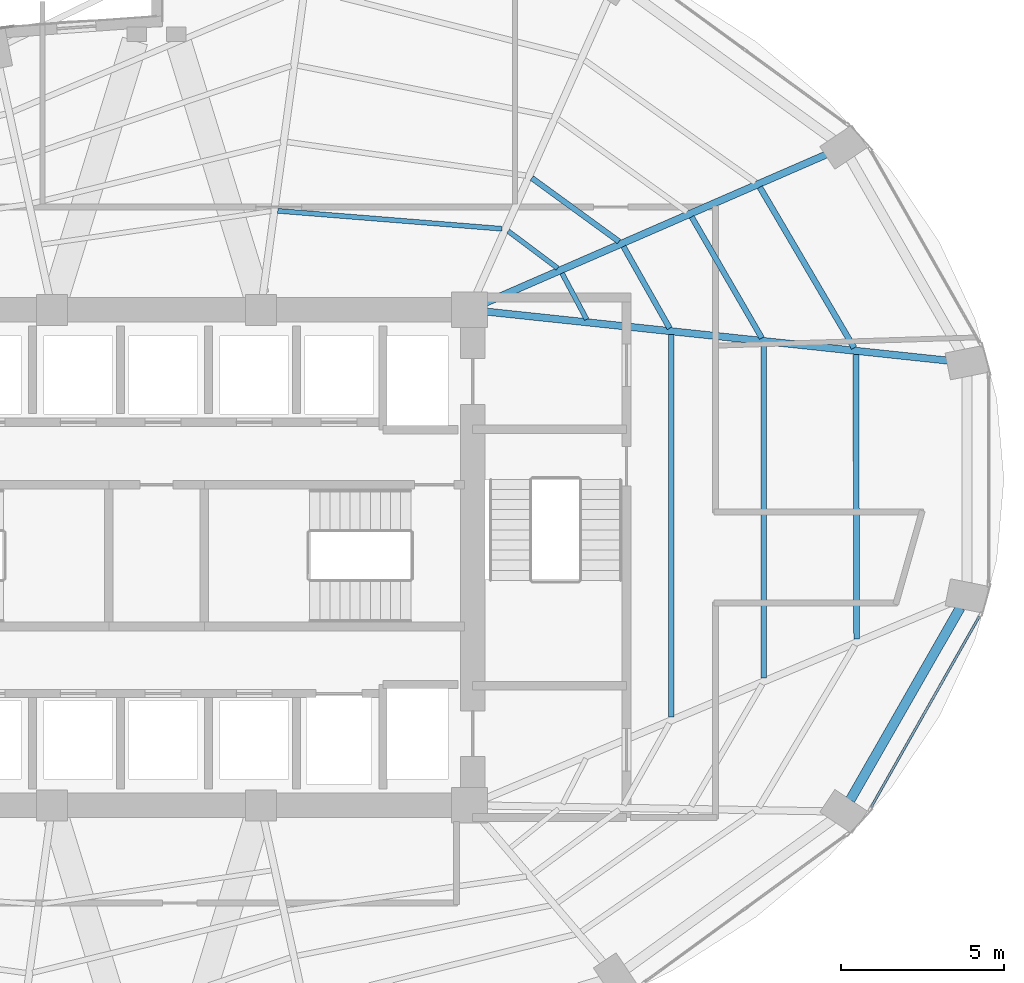
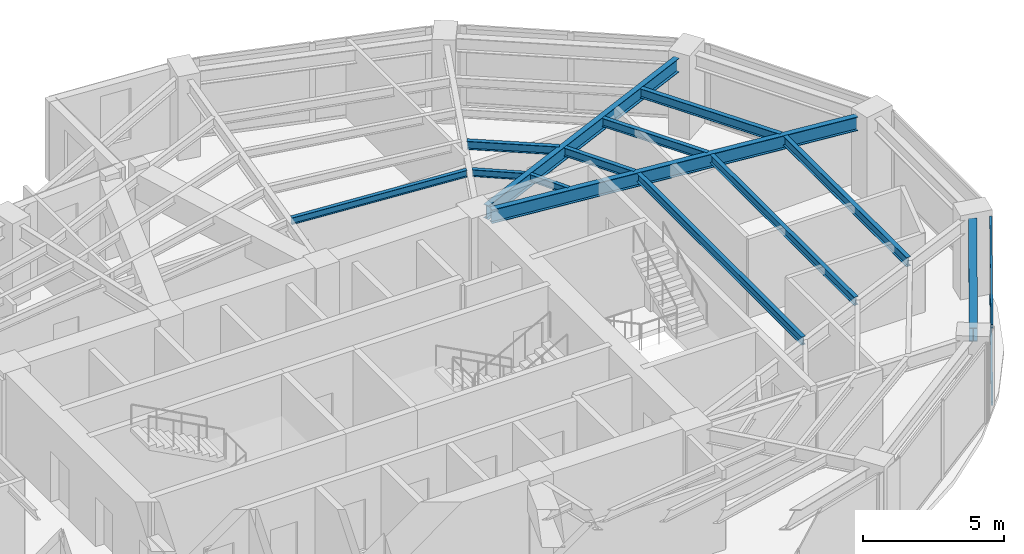
# One storey, part 12 of 23: 13 beams, 2 members, 1 element without a shape of its own.
"""IFC4 building model written with IfcOpenShell, lengths in metres."""

from ifc_helpers import new_model, si_unit, direction, frame, origin, origin_2d, place, context, subcontext, project, spatial, hollow_rectangle, i_section, extrude, material, layer, layer_set, material_profile, profile_set, type_object, element, aggregate, save


model = new_model("IFC4")

# Units and contexts
model_context = context("Model", 3, precision=1e-05, world=origin(), true_north=direction((0.0, 1.0)))
body_context = subcontext(model_context, "Body", "Model", "MODEL_VIEW")
ifc_project = project(units=[si_unit("LENGTHUNIT", "METRE"), si_unit("AREAUNIT", "SQUARE_METRE"), si_unit("VOLUMEUNIT", "CUBIC_METRE"), si_unit("PLANEANGLEUNIT", "RADIAN"), si_unit("MASSUNIT", "GRAM", prefix="KILO")], contexts=[model_context])

# Site, building, storey
site_placement = place(None, origin())
site = spatial("IfcSite", under=ifc_project, at=site_placement, CompositionType="ELEMENT")
building_placement = place(site_placement, origin())
building = spatial("IfcBuilding", under=site, at=building_placement, Name="Lazwardi Medical Tower", CompositionType="ELEMENT")
storey_placement = place(building_placement, frame((0.0, 0.0, 121.8720703125)))
storey = spatial("IfcBuildingStorey", under=building, at=storey_placement, Name="L31", CompositionType="ELEMENT", Elevation=121.8720703125)

# Beams
ifc_material_1 = material(Name="Steel S355", Category="steel")
ifc_material_profile_1 = material_profile(ifc_material_1, i_section(OverallWidth=0.300048828125, OverallDepth=0.60009765625, WebThickness=0.015380859375, FlangeThickness=0.030029296875, at=origin_2d()), Name="HEB 600")
ifc_profile_set_1 = profile_set([ifc_material_profile_1], Name="Steel S355")
beam_type_1 = type_object("IfcBeamType", Name="BM-RB-Z2", PredefinedType="BEAM", material=ifc_profile_set_1)
beam_1_placement = place(storey_placement, frame((57.281494140625, 20.561279296875, 3.1279296875), z_axis=(0.496653025517, 0.867949176072, 0.0), x_axis=(-0.867949176072, 0.496653025517, 0.0)))
element("IfcBeam", 1, at=beam_1_placement, inside=storey, type_object=beam_type_1, Name="Ring beam RB-03 B03 L31", PredefinedType="BEAM", context=body_context, shape_type="SweptSolid", body=[
    extrude(i_section(OverallWidth=0.300048828125, OverallDepth=0.60009765625, WebThickness=0.015380859375, FlangeThickness=0.030029296875, at=origin_2d()), origin(), (0.0, 0.0, 1.0), 6.80078125),
])
ifc_material_profile_2 = material_profile(ifc_material_1, i_section(OverallWidth=0.219970703125, OverallDepth=0.60009765625, WebThickness=0.011962890625, FlangeThickness=0.01904296875, at=origin_2d()), Name="IPE 600")
ifc_profile_set_2 = profile_set([ifc_material_profile_2], Name="Steel S355")
beam_type_2 = type_object("IfcBeamType", Name="BM-RG-W1", PredefinedType="BEAM", material=ifc_profile_set_2)
beam_2_placement = place(storey_placement, frame((60.2861328125, 34.041015625, 3.1279296875), z_axis=(-0.994413340753, 0.10555618282, 0.0), x_axis=(-0.10555618282, -0.994413340753, 0.0)))
element("IfcBeam", 2, at=beam_2_placement, inside=storey, type_object=beam_type_2, Name="Radial girder RG-02 R05 L31", PredefinedType="BEAM", context=body_context, shape_type="SweptSolid", body=[
    extrude(i_section(OverallWidth=0.219970703125, OverallDepth=0.60009765625, WebThickness=0.011962890625, FlangeThickness=0.01904296875, at=origin_2d()), origin(), (0.0, 0.0, 1.0), 14.233642578125),
])
beam_3_placement = place(storey_placement, frame((56.5458984375, 40.36328125, 3.1279296875), z_axis=(-0.916941336121, -0.399022037127, 0.0), x_axis=(0.399022037127, -0.916941336121, 0.0)))
element("IfcBeam", 3, at=beam_3_placement, inside=storey, type_object=beam_type_2, Name="Radial girder RG-02 R06 L31", PredefinedType="BEAM", context=body_context, shape_type="SweptSolid", body=[
    extrude(i_section(OverallWidth=0.219970703125, OverallDepth=0.60009765625, WebThickness=0.011962890625, FlangeThickness=0.01904296875, at=origin_2d()), origin(), (0.0, 0.0, 1.0), 11.40234375),
])
ifc_material_profile_3 = material_profile(ifc_material_1, i_section(OverallWidth=0.179931640625, OverallDepth=0.39990234375, WebThickness=0.008544921875, FlangeThickness=0.013427734375, at=origin_2d()), Name="IPE 400")
ifc_profile_set_3 = profile_set([ifc_material_profile_3], Name="Steel S355")
beam_type_3 = type_object("IfcBeamType", Name="BM-SJ-01", PredefinedType="JOIST", material=ifc_profile_set_3)
beam_4_placement = place(storey_placement, frame((57.48095703125, 25.502685546875, 3.22802734375), z_axis=(-0.002907126978, 0.999995774297, 0.0), x_axis=(-0.999995774297, -0.002907126978, 0.0)))
element("IfcBeam", 4, at=beam_4_placement, inside=storey, type_object=beam_type_3, Name="Secondary joist SJ-01 R1 B04 L31", PredefinedType="JOIST", context=body_context, shape_type="SweptSolid", body=[
    extrude(i_section(OverallWidth=0.179931640625, OverallDepth=0.39990234375, WebThickness=0.008544921875, FlangeThickness=0.013427734375, at=origin_2d()), origin(), (0.0, 0.0, 1.0), 8.73388671875),
])
beam_5_placement = place(storey_placement, frame((57.402099609375, 34.43212890625, 3.22802734375), z_axis=(-0.506195045201, 0.862419025888, 0.0), x_axis=(-0.862419025888, -0.506195045201, 0.0)))
element("IfcBeam", 5, at=beam_5_placement, inside=storey, type_object=beam_type_3, Name="Secondary joist SJ-01 R1 B05 L31", PredefinedType="JOIST", context=body_context, shape_type="SweptSolid", body=[
    extrude(i_section(OverallWidth=0.179931640625, OverallDepth=0.39990234375, WebThickness=0.008544921875, FlangeThickness=0.013427734375, at=origin_2d()), origin(), (0.0, 0.0, 1.0), 5.71728515625),
])
ifc_material_profile_4 = material_profile(ifc_material_1, i_section(OverallWidth=0.169921875, OverallDepth=0.360107421875, WebThickness=0.008056640625, FlangeThickness=0.0126953125, at=origin_2d()), Name="IPE 360")
ifc_profile_set_4 = profile_set([ifc_material_profile_4], Name="Steel S355")
beam_type_4 = type_object("IfcBeamType", Name="BM-SJ-02", PredefinedType="JOIST", material=ifc_profile_set_4)
beam_6_placement = place(storey_placement, frame((54.634033203125, 24.30517578125, 3.248046875), z_axis=(-0.000930565095, 0.999999567024, 0.0), x_axis=(-0.999999567024, -0.000930565095, 0.0)))
element("IfcBeam", 6, at=beam_6_placement, inside=storey, type_object=beam_type_4, Name="Secondary joist SJ-02 R2 B04 L31", PredefinedType="JOIST", context=body_context, shape_type="SweptSolid", body=[
    extrude(i_section(OverallWidth=0.169921875, OverallDepth=0.360107421875, WebThickness=0.008056640625, FlangeThickness=0.0126953125, at=origin_2d()), origin(), (0.0, 0.0, 1.0), 10.23193359375),
])
beam_7_placement = place(storey_placement, frame((54.57177734375, 34.73291015625, 3.248046875), z_axis=(-0.501365325212, 0.865235696602, 0.0), x_axis=(-0.865235696602, -0.501365325212, 0.0)))
element("IfcBeam", 7, at=beam_7_placement, inside=storey, type_object=beam_type_4, Name="Secondary joist SJ-02 R2 B05 L31", PredefinedType="JOIST", context=body_context, shape_type="SweptSolid", body=[
    extrude(i_section(OverallWidth=0.169921875, OverallDepth=0.360107421875, WebThickness=0.008056640625, FlangeThickness=0.0126953125, at=origin_2d()), origin(), (0.0, 0.0, 1.0), 4.298828125),
])
beam_8_placement = place(storey_placement, frame((51.787109375, 23.107421875, 3.248046875), z_axis=(0.000561961365, 0.9999998421, 0.0), x_axis=(-0.9999998421, 0.000561961365, 0.0)))
element("IfcBeam", 8, at=beam_8_placement, inside=storey, type_object=beam_type_4, Name="Secondary joist SJ-02 R3 B04 L31", PredefinedType="JOIST", context=body_context, shape_type="SweptSolid", body=[
    extrude(i_section(OverallWidth=0.169921875, OverallDepth=0.360107421875, WebThickness=0.008056640625, FlangeThickness=0.0126953125, at=origin_2d()), origin(), (0.0, 0.0, 1.0), 11.72998046875),
])
beam_9_placement = place(storey_placement, frame((51.741943359375, 35.033935546875, 3.248046875), z_axis=(-0.492026539517, 0.870580199873, 0.0), x_axis=(-0.870580199873, -0.492026539517, 0.0)))
element("IfcBeam", 9, at=beam_9_placement, inside=storey, type_object=beam_type_4, Name="Secondary joist SJ-02 R3 B05 L31", PredefinedType="JOIST", context=body_context, shape_type="SweptSolid", body=[
    extrude(i_section(OverallWidth=0.169921875, OverallDepth=0.360107421875, WebThickness=0.008056640625, FlangeThickness=0.0126953125, at=origin_2d()), origin(), (0.0, 0.0, 1.0), 2.880859375),
])
beam_10_placement = place(storey_placement, frame((50.18798828125, 37.6953125, 3.248046875), z_axis=(-0.808301737247, 0.588768461761, 0.0), x_axis=(-0.588768461761, -0.808301737247, 0.0)))
element("IfcBeam", 10, at=beam_10_placement, inside=storey, type_object=beam_type_4, Name="Secondary joist SJ-02 R3 B06 L31", PredefinedType="JOIST", context=body_context, shape_type="SweptSolid", body=[
    extrude(i_section(OverallWidth=0.169921875, OverallDepth=0.360107421875, WebThickness=0.008056640625, FlangeThickness=0.0126953125, at=origin_2d()), origin(), (0.0, 0.0, 1.0), 3.307373046875),
])
ifc_material_profile_5 = material_profile(ifc_material_1, i_section(OverallWidth=0.14990234375, OverallDepth=0.300048828125, WebThickness=0.007080078125, FlangeThickness=0.0107421875, at=origin_2d()), Name="IPE 300")
ifc_profile_set_5 = profile_set([ifc_material_profile_5], Name="Steel S355")
beam_type_5 = type_object("IfcBeamType", Name="BM-SJ-03", PredefinedType="JOIST", material=ifc_profile_set_5)
beam_11_placement = place(storey_placement, frame((49.1962890625, 35.3056640625, 3.27783203125), z_axis=(-0.471022344925, 0.882121278839, 0.0), x_axis=(-0.882121278839, -0.471022344925, 0.0)))
element("IfcBeam", 11, at=beam_11_placement, inside=storey, type_object=beam_type_5, Name="Secondary joist SJ-03 R4 B05 L31", PredefinedType="JOIST", context=body_context, shape_type="SweptSolid", body=[
    extrude(i_section(OverallWidth=0.14990234375, OverallDepth=0.300048828125, WebThickness=0.007080078125, FlangeThickness=0.0107421875, at=origin_2d()), origin(), (0.0, 0.0, 1.0), 1.605224609375),
])
beam_12_placement = place(storey_placement, frame((48.306640625, 36.87744140625, 3.27783203125), z_axis=(-0.800447687995, 0.599402618265, 0.0), x_axis=(-0.599402618265, -0.800447687995, 0.0)))
element("IfcBeam", 12, at=beam_12_placement, inside=storey, type_object=beam_type_5, Name="Secondary joist SJ-03 R4 B06 L31", PredefinedType="JOIST", context=body_context, shape_type="SweptSolid", body=[
    extrude(i_section(OverallWidth=0.14990234375, OverallDepth=0.300048828125, WebThickness=0.007080078125, FlangeThickness=0.0107421875, at=origin_2d()), origin(), (0.0, 0.0, 1.0), 1.896728515625),
])
beam_13_placement = place(storey_placement, frame((46.599609375, 38.085693359375, 3.27783203125), z_axis=(-0.996816178299, 0.079733974445, 0.0), x_axis=(-0.079733974445, -0.996816178299, 0.0)))
element("IfcBeam", 13, at=beam_13_placement, inside=storey, type_object=beam_type_5, Name="Secondary joist SJ-03 R4 B07 L31", PredefinedType="JOIST", context=body_context, shape_type="SweptSolid", body=[
    extrude(i_section(OverallWidth=0.14990234375, OverallDepth=0.300048828125, WebThickness=0.007080078125, FlangeThickness=0.0107421875, at=origin_2d()), origin(), (0.0, 0.0, 1.0), 6.901611328125),
])

# Curtain wall, members
ifc_material_2 = material(Name="Anodised bronze aluminium and solar control glazing", Category="aluminium")
ifc_layer = layer(ifc_material_2, 0.195068359375)
ifc_layer_set = layer_set([ifc_layer], Name="Anodised bronze aluminium and solar control glazing")
curtain_wall_type = type_object("IfcCurtainWallType", Name="CW-SYS-03", PredefinedType="NOTDEFINED", material=ifc_layer_set)
curtain_wall_placement = place(storey_placement, origin())
curtain_wall = element("IfcCurtainWall", 14, at=curtain_wall_placement, inside=storey, type_object=curtain_wall_type, Name="L31 Unitised bronze curtain wall CW-03", PredefinedType="NOTDEFINED")
ifc_material_3 = material(Name="Anodised bronze aluminium", Category="aluminium")
ifc_material_profile_6 = material_profile(ifc_material_3, hollow_rectangle(XDim=0.074951171875, YDim=0.159912109375, WallThickness=0.00390625, at=origin_2d()), Name="ALU-TRANSOM 160x75x4")
ifc_profile_set_6 = profile_set([ifc_material_profile_6], Name="Anodised bronze aluminium")
member_type = type_object("IfcMemberType", Name="CW-TRN-01", PredefinedType="USERDEFINED", material=ifc_profile_set_6)
member_1_placement = place(storey_placement, frame((57.925537109375, 20.3466796875, 0.037353515625), z_axis=(0.493614427365, 0.869680859337, 0.0), x_axis=(-0.869680859337, 0.493614427365, 0.0)))
member_1 = element("IfcMember", 15, at=member_1_placement, type_object=member_type, Name="CW-03 transom 1.1", ObjectType="TRANSOM", PredefinedType="USERDEFINED", context=body_context, shape_type="SweptSolid", body=[
    extrude(hollow_rectangle(XDim=0.074951171875, YDim=0.159912109375, WallThickness=0.00390625, at=origin_2d()), origin(), (0.0, 0.0, 1.0), 6.72314453125),
])
member_2_placement = place(storey_placement, frame((57.925537109375, 20.3466796875, 3.390380859375), z_axis=(0.493614427365, 0.869680859337, 0.0), x_axis=(-0.869680859337, 0.493614427365, 0.0)))
member_2 = element("IfcMember", 16, at=member_2_placement, type_object=member_type, Name="CW-03 transom 1.2", ObjectType="TRANSOM", PredefinedType="USERDEFINED", context=body_context, shape_type="SweptSolid", body=[
    extrude(hollow_rectangle(XDim=0.074951171875, YDim=0.159912109375, WallThickness=0.00390625, at=origin_2d()), origin(), (0.0, 0.0, 1.0), 6.72314453125),
])
aggregate(curtain_wall, [member_1, member_2])

save(model, "model.ifc")
